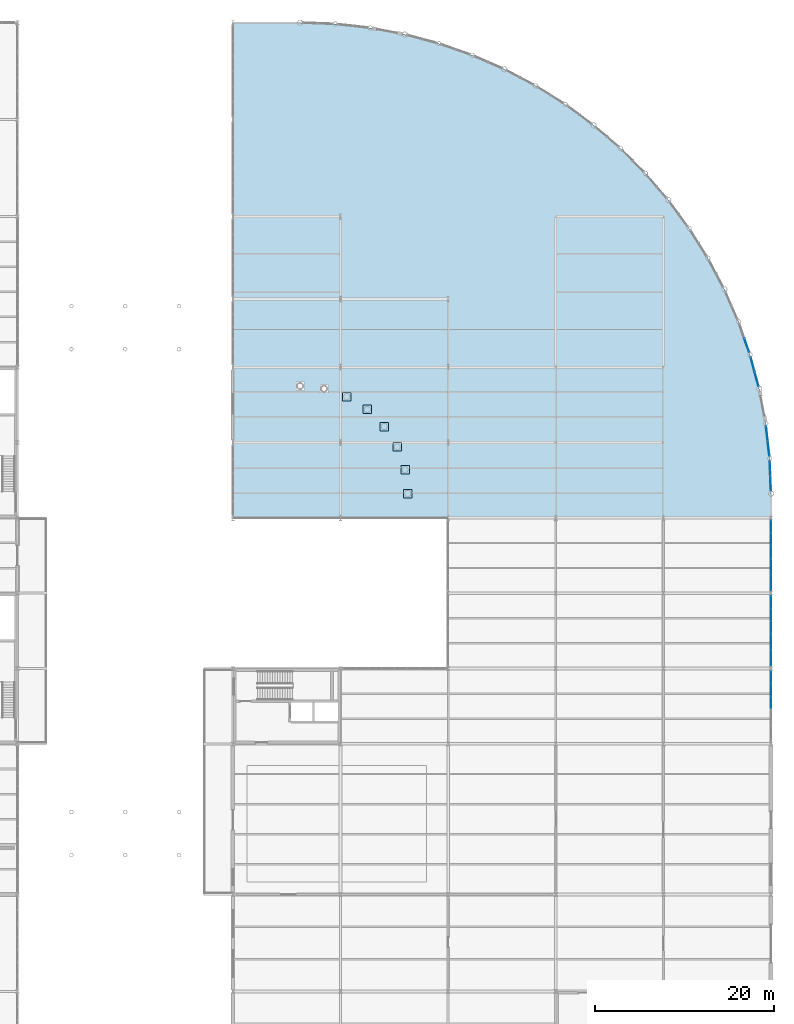
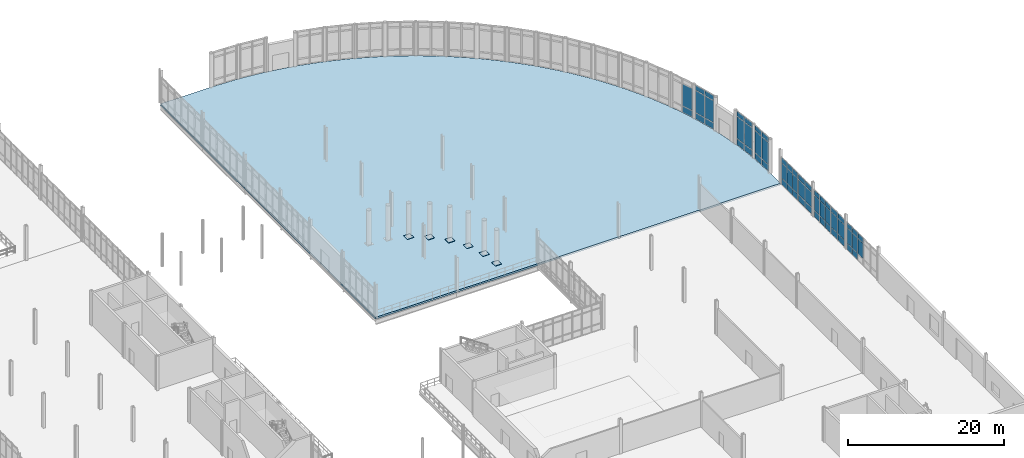
# One storey, part 91 of 111: 64 plates, 1 slab, 9 elements without a shape of their own.
"""IFC4 building model written with IfcOpenShell, lengths in metres."""

from ifc_helpers import new_model, si_unit, direction, frame, origin, origin_2d, place, context, subcontext, project, spatial, polyline, rectangle, outline, extrude, material, layer, layer_set, type_object, element, aggregate, save


model = new_model("IFC4")

# Units and contexts
model_context = context("Model", 3, precision=1e-05, world=origin(), true_north=direction((0.0, 1.0)))
body_context = subcontext(model_context, "Body", "Model", "MODEL_VIEW")
ifc_project = project(units=[si_unit("LENGTHUNIT", "METRE"), si_unit("AREAUNIT", "SQUARE_METRE"), si_unit("VOLUMEUNIT", "CUBIC_METRE"), si_unit("PLANEANGLEUNIT", "RADIAN"), si_unit("MASSUNIT", "GRAM", prefix="KILO"), si_unit("THERMODYNAMICTEMPERATUREUNIT", "KELVIN"), si_unit("POWERUNIT", "WATT")], contexts=[model_context])

# Site, building, storey
site_placement = place(None, origin())
site = spatial("IfcSite", under=ifc_project, at=site_placement, CompositionType="ELEMENT")
building_placement = place(site_placement, origin())
building = spatial("IfcBuilding", under=site, at=building_placement, Name="Tembeka Court Mobility Hub", CompositionType="ELEMENT")
storey_placement = place(building_placement, origin())
storey = spatial("IfcBuildingStorey", under=building, at=storey_placement, Name="L00", CompositionType="ELEMENT", Elevation=0.0)

# Curtain wall, plates
ifc_material_1 = material(Name="Anodised aluminium 6063-T6", Category="aluminium")
ifc_layer_1 = layer(ifc_material_1, 0.199951171875)
ifc_layer_set_1 = layer_set([ifc_layer_1], Name="Anodised aluminium 6063-T6")
curtain_wall_type_1 = type_object("IfcCurtainWallType", Name="CW-SYS24", PredefinedType="USERDEFINED", material=ifc_layer_set_1)
curtain_wall_1_placement = place(storey_placement, origin())
curtain_wall_1 = element("IfcCurtainWall", 1, at=curtain_wall_1_placement, inside=storey, type_object=curtain_wall_type_1, Name="Unitised curtain wall CW24 (CW-L00-045)", ObjectType="UNITISED GLAZING", PredefinedType="USERDEFINED")
ifc_material_2 = material(Name="Laminated solar-control low-E glass", Category="glass")
ifc_layer_2 = layer(ifc_material_2, 0.028076171875)
ifc_layer_set_2 = layer_set([ifc_layer_2], Name="Laminated solar-control low-E glass")
plate_type_1 = type_object("IfcPlateType", Name="PL-CW01", PredefinedType="CURTAIN_PANEL", material=ifc_layer_set_2)
plate_1_placement = place(storey_placement, frame((176.3583984375, 67.409423828125, 0.074951171875), z_axis=(0.0, 0.0, 1.0), x_axis=(-0.037405271186, 0.999300177968, 0.0)))
plate_1 = element("IfcPlate", 2, at=plate_1_placement, type_object=plate_type_1, Name="CW24 panel 1.1", PredefinedType="CURTAIN_PANEL", context=body_context, shape_type="SweptSolid", body=[
    extrude(rectangle(XDim=1.630615234375, YDim=0.028076171875, at=origin_2d()), origin(), (0.0, 0.0, 1.0), 0.9375),
])
plate_2_placement = place(storey_placement, frame((176.3583984375, 67.409423828125, 1.08740234375), z_axis=(0.0, 0.0, 1.0), x_axis=(-0.037405271186, 0.999300177968, 0.0)))
plate_2 = element("IfcPlate", 3, at=plate_2_placement, type_object=plate_type_1, Name="CW24 panel 1.2", PredefinedType="CURTAIN_PANEL", context=body_context, shape_type="SweptSolid", body=[
    extrude(rectangle(XDim=1.630615234375, YDim=0.028076171875, at=origin_2d()), origin(), (0.0, 0.0, 1.0), 3.425048828125),
])
plate_3_placement = place(storey_placement, frame((176.3583984375, 67.409423828125, 4.58740234375), z_axis=(0.0, 0.0, 1.0), x_axis=(-0.037405271186, 0.999300177968, 0.0)))
plate_3 = element("IfcPlate", 4, at=plate_3_placement, type_object=plate_type_1, Name="CW24 panel 1.3", PredefinedType="CURTAIN_PANEL", context=body_context, shape_type="SweptSolid", body=[
    extrude(rectangle(XDim=1.630615234375, YDim=0.028076171875, at=origin_2d()), origin(), (0.0, 0.0, 1.0), 0.737548828125),
])
plate_4_placement = place(storey_placement, frame((176.294677734375, 69.11376953125, 0.074951171875), z_axis=(0.0, 0.0, 1.0), x_axis=(-0.037405271186, 0.999300177968, 0.0)))
plate_4 = element("IfcPlate", 5, at=plate_4_placement, type_object=plate_type_1, Name="CW24 panel 2.1", PredefinedType="CURTAIN_PANEL", context=body_context, shape_type="SweptSolid", body=[
    extrude(rectangle(XDim=1.630615234375, YDim=0.028076171875, at=origin_2d()), origin(), (0.0, 0.0, 1.0), 0.9375),
])
plate_5_placement = place(storey_placement, frame((176.294677734375, 69.11376953125, 1.08740234375), z_axis=(0.0, 0.0, 1.0), x_axis=(-0.037405271186, 0.999300177968, 0.0)))
plate_5 = element("IfcPlate", 6, at=plate_5_placement, type_object=plate_type_1, Name="CW24 panel 2.2", PredefinedType="CURTAIN_PANEL", context=body_context, shape_type="SweptSolid", body=[
    extrude(rectangle(XDim=1.630615234375, YDim=0.028076171875, at=origin_2d()), origin(), (0.0, 0.0, 1.0), 3.425048828125),
])
plate_6_placement = place(storey_placement, frame((176.294677734375, 69.11376953125, 4.58740234375), z_axis=(0.0, 0.0, 1.0), x_axis=(-0.037405271186, 0.999300177968, 0.0)))
plate_6 = element("IfcPlate", 7, at=plate_6_placement, type_object=plate_type_1, Name="CW24 panel 2.3", PredefinedType="CURTAIN_PANEL", context=body_context, shape_type="SweptSolid", body=[
    extrude(rectangle(XDim=1.630615234375, YDim=0.028076171875, at=origin_2d()), origin(), (0.0, 0.0, 1.0), 0.737548828125),
])
aggregate(curtain_wall_1, [plate_1, plate_2, plate_3, plate_4, plate_5, plate_6])

curtain_wall_2_placement = place(storey_placement, origin())
curtain_wall_2 = element("IfcCurtainWall", 8, at=curtain_wall_2_placement, inside=storey, type_object=curtain_wall_type_1, Name="Unitised curtain wall CW24 (CW-L00-047)", ObjectType="UNITISED GLAZING", PredefinedType="USERDEFINED")
plate_7_placement = place(storey_placement, frame((176.12890625, 71.32666015625, 0.074951171875), z_axis=(0.0, 0.0, 1.0), x_axis=(-0.111986683735, 0.993709707443, 0.0)))
plate_7 = element("IfcPlate", 9, at=plate_7_placement, type_object=plate_type_1, Name="CW24 panel 1.1", PredefinedType="CURTAIN_PANEL", context=body_context, shape_type="SweptSolid", body=[
    extrude(rectangle(XDim=1.630615234375, YDim=0.028076171875, at=origin_2d()), origin(), (0.0, 0.0, 1.0), 0.9375),
])
plate_8_placement = place(storey_placement, frame((176.12890625, 71.32666015625, 1.08740234375), z_axis=(0.0, 0.0, 1.0), x_axis=(-0.111986683735, 0.993709707443, 0.0)))
plate_8 = element("IfcPlate", 10, at=plate_8_placement, type_object=plate_type_1, Name="CW24 panel 1.2", PredefinedType="CURTAIN_PANEL", context=body_context, shape_type="SweptSolid", body=[
    extrude(rectangle(XDim=1.630615234375, YDim=0.028076171875, at=origin_2d()), origin(), (0.0, 0.0, 1.0), 3.425048828125),
])
plate_9_placement = place(storey_placement, frame((176.12890625, 71.32666015625, 4.58740234375), z_axis=(0.0, 0.0, 1.0), x_axis=(-0.111986683735, 0.993709707443, 0.0)))
plate_9 = element("IfcPlate", 11, at=plate_9_placement, type_object=plate_type_1, Name="CW24 panel 1.3", PredefinedType="CURTAIN_PANEL", context=body_context, shape_type="SweptSolid", body=[
    extrude(rectangle(XDim=1.630615234375, YDim=0.028076171875, at=origin_2d()), origin(), (0.0, 0.0, 1.0), 0.737548828125),
])
plate_10_placement = place(storey_placement, frame((175.93798828125, 73.021484375, 0.074951171875), z_axis=(0.0, 0.0, 1.0), x_axis=(-0.111986683735, 0.993709707443, 0.0)))
plate_10 = element("IfcPlate", 12, at=plate_10_placement, type_object=plate_type_1, Name="CW24 panel 2.1", PredefinedType="CURTAIN_PANEL", context=body_context, shape_type="SweptSolid", body=[
    extrude(rectangle(XDim=1.630615234375, YDim=0.028076171875, at=origin_2d()), origin(), (0.0, 0.0, 1.0), 0.9375),
])
plate_11_placement = place(storey_placement, frame((175.93798828125, 73.021484375, 1.08740234375), z_axis=(0.0, 0.0, 1.0), x_axis=(-0.111986683735, 0.993709707443, 0.0)))
plate_11 = element("IfcPlate", 13, at=plate_11_placement, type_object=plate_type_1, Name="CW24 panel 2.2", PredefinedType="CURTAIN_PANEL", context=body_context, shape_type="SweptSolid", body=[
    extrude(rectangle(XDim=1.630615234375, YDim=0.028076171875, at=origin_2d()), origin(), (0.0, 0.0, 1.0), 3.425048828125),
])
plate_12_placement = place(storey_placement, frame((175.93798828125, 73.021484375, 4.58740234375), z_axis=(0.0, 0.0, 1.0), x_axis=(-0.111986683735, 0.993709707443, 0.0)))
plate_12 = element("IfcPlate", 14, at=plate_12_placement, type_object=plate_type_1, Name="CW24 panel 2.3", PredefinedType="CURTAIN_PANEL", context=body_context, shape_type="SweptSolid", body=[
    extrude(rectangle(XDim=1.630615234375, YDim=0.028076171875, at=origin_2d()), origin(), (0.0, 0.0, 1.0), 0.737548828125),
])
aggregate(curtain_wall_2, [plate_7, plate_8, plate_9, plate_10, plate_11, plate_12])

curtain_wall_3_placement = place(storey_placement, origin())
curtain_wall_3 = element("IfcCurtainWall", 15, at=curtain_wall_3_placement, inside=storey, type_object=curtain_wall_type_1, Name="Unitised curtain wall CW24 (CW-L00-049)", ObjectType="UNITISED GLAZING", PredefinedType="USERDEFINED")
plate_13_placement = place(storey_placement, frame((174.79638671875, 79.0546875, 0.074951171875), z_axis=(0.0, 0.0, 1.0), x_axis=(-0.258828327951, 0.96592333891, 0.0)))
plate_13 = element("IfcPlate", 16, at=plate_13_placement, type_object=plate_type_1, Name="CW24 panel 1.1", PredefinedType="CURTAIN_PANEL", context=body_context, shape_type="SweptSolid", body=[
    extrude(rectangle(XDim=1.630615234375, YDim=0.028076171875, at=origin_2d()), origin(), (0.0, 0.0, 1.0), 0.9375),
])
plate_14_placement = place(storey_placement, frame((174.79638671875, 79.0546875, 1.08740234375), z_axis=(0.0, 0.0, 1.0), x_axis=(-0.258828327951, 0.96592333891, 0.0)))
plate_14 = element("IfcPlate", 17, at=plate_14_placement, type_object=plate_type_1, Name="CW24 panel 1.2", PredefinedType="CURTAIN_PANEL", context=body_context, shape_type="SweptSolid", body=[
    extrude(rectangle(XDim=1.630615234375, YDim=0.028076171875, at=origin_2d()), origin(), (0.0, 0.0, 1.0), 3.425048828125),
])
plate_15_placement = place(storey_placement, frame((174.79638671875, 79.0546875, 4.58740234375), z_axis=(0.0, 0.0, 1.0), x_axis=(-0.258828327951, 0.96592333891, 0.0)))
plate_15 = element("IfcPlate", 18, at=plate_15_placement, type_object=plate_type_1, Name="CW24 panel 1.3", PredefinedType="CURTAIN_PANEL", context=body_context, shape_type="SweptSolid", body=[
    extrude(rectangle(XDim=1.630615234375, YDim=0.028076171875, at=origin_2d()), origin(), (0.0, 0.0, 1.0), 0.737548828125),
])
plate_16_placement = place(storey_placement, frame((174.35498046875, 80.7021484375, 0.074951171875), z_axis=(0.0, 0.0, 1.0), x_axis=(-0.258828327951, 0.96592333891, 0.0)))
plate_16 = element("IfcPlate", 19, at=plate_16_placement, type_object=plate_type_1, Name="CW24 panel 2.1", PredefinedType="CURTAIN_PANEL", context=body_context, shape_type="SweptSolid", body=[
    extrude(rectangle(XDim=1.630615234375, YDim=0.028076171875, at=origin_2d()), origin(), (0.0, 0.0, 1.0), 0.9375),
])
plate_17_placement = place(storey_placement, frame((174.35498046875, 80.7021484375, 1.08740234375), z_axis=(0.0, 0.0, 1.0), x_axis=(-0.258828327951, 0.96592333891, 0.0)))
plate_17 = element("IfcPlate", 20, at=plate_17_placement, type_object=plate_type_1, Name="CW24 panel 2.2", PredefinedType="CURTAIN_PANEL", context=body_context, shape_type="SweptSolid", body=[
    extrude(rectangle(XDim=1.630615234375, YDim=0.028076171875, at=origin_2d()), origin(), (0.0, 0.0, 1.0), 3.425048828125),
])
plate_18_placement = place(storey_placement, frame((174.35498046875, 80.7021484375, 4.58740234375), z_axis=(0.0, 0.0, 1.0), x_axis=(-0.258828327951, 0.96592333891, 0.0)))
plate_18 = element("IfcPlate", 21, at=plate_18_placement, type_object=plate_type_1, Name="CW24 panel 2.3", PredefinedType="CURTAIN_PANEL", context=body_context, shape_type="SweptSolid", body=[
    extrude(rectangle(XDim=1.630615234375, YDim=0.028076171875, at=origin_2d()), origin(), (0.0, 0.0, 1.0), 0.737548828125),
])
aggregate(curtain_wall_3, [plate_13, plate_14, plate_15, plate_16, plate_17, plate_18])

curtain_wall_4_placement = place(storey_placement, origin())
curtain_wall_4 = element("IfcCurtainWall", 22, at=curtain_wall_4_placement, inside=storey, type_object=curtain_wall_type_1, Name="Unitised curtain wall CW24 (CW-L00-051)", ObjectType="UNITISED GLAZING", PredefinedType="USERDEFINED")
plate_19_placement = place(storey_placement, frame((173.700927734375, 82.822509765625, 0.074951171875), z_axis=(0.0, 0.0, 1.0), x_axis=(-0.330263534352, 0.943888763508, 0.0)))
plate_19 = element("IfcPlate", 23, at=plate_19_placement, type_object=plate_type_1, Name="CW24 panel 1.1", PredefinedType="CURTAIN_PANEL", context=body_context, shape_type="SweptSolid", body=[
    extrude(rectangle(XDim=1.630615234375, YDim=0.028076171875, at=origin_2d()), origin(), (0.0, 0.0, 1.0), 0.9375),
])
plate_20_placement = place(storey_placement, frame((173.700927734375, 82.822509765625, 1.08740234375), z_axis=(0.0, 0.0, 1.0), x_axis=(-0.330263534352, 0.943888763508, 0.0)))
plate_20 = element("IfcPlate", 24, at=plate_20_placement, type_object=plate_type_1, Name="CW24 panel 1.2", PredefinedType="CURTAIN_PANEL", context=body_context, shape_type="SweptSolid", body=[
    extrude(rectangle(XDim=1.630615234375, YDim=0.028076171875, at=origin_2d()), origin(), (0.0, 0.0, 1.0), 3.425048828125),
])
aggregate(curtain_wall_4, [plate_19, plate_20])

ifc_layer_3 = layer(ifc_material_1, 0.159912109375)
ifc_layer_set_3 = layer_set([ifc_layer_3], Name="Anodised aluminium 6063-T6")
curtain_wall_type_2 = type_object("IfcCurtainWallType", Name="CW-SYS04", PredefinedType="USERDEFINED", material=ifc_layer_set_3)
curtain_wall_5_placement = place(storey_placement, origin())
curtain_wall_5 = element("IfcCurtainWall", 25, at=curtain_wall_5_placement, inside=storey, type_object=curtain_wall_type_2, Name="Unitised curtain wall CW04 (CW-L00-097)", ObjectType="UNITISED GLAZING", PredefinedType="USERDEFINED")
plate_21_placement = place(storey_placement, frame((176.39990234375, 47.9873046875, 0.06494140625), z_axis=(0.0, 0.0, 1.0), x_axis=(0.0, 1.0, 0.0)))
plate_21 = element("IfcPlate", 26, at=plate_21_placement, type_object=plate_type_1, Name="CW04 panel 1.1", PredefinedType="CURTAIN_PANEL", context=body_context, shape_type="SweptSolid", body=[
    extrude(rectangle(XDim=1.6845703125, YDim=0.028076171875, at=origin_2d()), origin(), (0.0, 0.0, 1.0), 0.952392578125),
])
plate_22_placement = place(storey_placement, frame((176.39990234375, 47.9873046875, 1.08251953125), z_axis=(0.0, 0.0, 1.0), x_axis=(0.0, 1.0, 0.0)))
plate_22 = element("IfcPlate", 27, at=plate_22_placement, type_object=plate_type_1, Name="CW04 panel 1.2", PredefinedType="CURTAIN_PANEL", context=body_context, shape_type="SweptSolid", body=[
    extrude(rectangle(XDim=1.6845703125, YDim=0.028076171875, at=origin_2d()), origin(), (0.0, 0.0, 1.0), 2.3701171875),
])
plate_23_placement = place(storey_placement, frame((176.39990234375, 47.9873046875, 3.517578125), z_axis=(0.0, 0.0, 1.0), x_axis=(0.0, 1.0, 0.0)))
plate_23 = element("IfcPlate", 28, at=plate_23_placement, type_object=plate_type_1, Name="CW04 panel 1.3", PredefinedType="CURTAIN_PANEL", context=body_context, shape_type="SweptSolid", body=[
    extrude(rectangle(XDim=1.6845703125, YDim=0.028076171875, at=origin_2d()), origin(), (0.0, 0.0, 1.0), 0.75244140625),
])
plate_24_placement = place(storey_placement, frame((176.39990234375, 49.73681640625, 0.06494140625), z_axis=(0.0, 0.0, 1.0), x_axis=(0.0, 1.0, 0.0)))
plate_24 = element("IfcPlate", 29, at=plate_24_placement, type_object=plate_type_1, Name="CW04 panel 2.1", PredefinedType="CURTAIN_PANEL", context=body_context, shape_type="SweptSolid", body=[
    extrude(rectangle(XDim=1.6845703125, YDim=0.028076171875, at=origin_2d()), origin(), (0.0, 0.0, 1.0), 0.952392578125),
])
plate_25_placement = place(storey_placement, frame((176.39990234375, 49.73681640625, 1.08251953125), z_axis=(0.0, 0.0, 1.0), x_axis=(0.0, 1.0, 0.0)))
plate_25 = element("IfcPlate", 30, at=plate_25_placement, type_object=plate_type_1, Name="CW04 panel 2.2", PredefinedType="CURTAIN_PANEL", context=body_context, shape_type="SweptSolid", body=[
    extrude(rectangle(XDim=1.6845703125, YDim=0.028076171875, at=origin_2d()), origin(), (0.0, 0.0, 1.0), 2.3701171875),
])
plate_26_placement = place(storey_placement, frame((176.39990234375, 49.73681640625, 3.517578125), z_axis=(0.0, 0.0, 1.0), x_axis=(0.0, 1.0, 0.0)))
plate_26 = element("IfcPlate", 31, at=plate_26_placement, type_object=plate_type_1, Name="CW04 panel 2.3", PredefinedType="CURTAIN_PANEL", context=body_context, shape_type="SweptSolid", body=[
    extrude(rectangle(XDim=1.6845703125, YDim=0.028076171875, at=origin_2d()), origin(), (0.0, 0.0, 1.0), 0.75244140625),
])
aggregate(curtain_wall_5, [plate_21, plate_22, plate_23, plate_24, plate_25, plate_26])

ifc_layer_4 = layer(ifc_material_1, 0.159912109375)
ifc_layer_set_4 = layer_set([ifc_layer_4], Name="Anodised aluminium 6063-T6")
curtain_wall_type_3 = type_object("IfcCurtainWallType", Name="CW-SYS05", PredefinedType="USERDEFINED", material=ifc_layer_set_4)
curtain_wall_6_placement = place(storey_placement, origin())
curtain_wall_6 = element("IfcCurtainWall", 32, at=curtain_wall_6_placement, inside=storey, type_object=curtain_wall_type_3, Name="Unitised curtain wall CW05 (CW-L00-098)", ObjectType="UNITISED GLAZING", PredefinedType="USERDEFINED")
plate_27_placement = place(storey_placement, frame((176.39990234375, 51.40625, 0.06494140625), z_axis=(0.0, 0.0, 1.0), x_axis=(0.0, 1.0, 0.0)))
plate_27 = element("IfcPlate", 33, at=plate_27_placement, type_object=plate_type_1, Name="CW05 panel 1.1", PredefinedType="CURTAIN_PANEL", context=body_context, shape_type="SweptSolid", body=[
    extrude(rectangle(XDim=1.314453125, YDim=0.028076171875, at=origin_2d()), origin(), (0.0, 0.0, 1.0), 0.952392578125),
])
plate_28_placement = place(storey_placement, frame((176.39990234375, 51.40625, 1.08251953125), z_axis=(0.0, 0.0, 1.0), x_axis=(0.0, 1.0, 0.0)))
plate_28 = element("IfcPlate", 34, at=plate_28_placement, type_object=plate_type_1, Name="CW05 panel 1.2", PredefinedType="CURTAIN_PANEL", context=body_context, shape_type="SweptSolid", body=[
    extrude(rectangle(XDim=1.314453125, YDim=0.028076171875, at=origin_2d()), origin(), (0.0, 0.0, 1.0), 2.3701171875),
])
plate_29_placement = place(storey_placement, frame((176.39990234375, 51.40625, 3.517578125), z_axis=(0.0, 0.0, 1.0), x_axis=(0.0, 1.0, 0.0)))
plate_29 = element("IfcPlate", 35, at=plate_29_placement, type_object=plate_type_1, Name="CW05 panel 1.3", PredefinedType="CURTAIN_PANEL", context=body_context, shape_type="SweptSolid", body=[
    extrude(rectangle(XDim=1.314453125, YDim=0.028076171875, at=origin_2d()), origin(), (0.0, 0.0, 1.0), 0.75244140625),
])
plate_30_placement = place(storey_placement, frame((176.39990234375, 52.802001953125, 0.06494140625), z_axis=(0.0, 0.0, 1.0), x_axis=(0.0, 1.0, 0.0)))
plate_30 = element("IfcPlate", 36, at=plate_30_placement, type_object=plate_type_1, Name="CW05 panel 2.1", PredefinedType="CURTAIN_PANEL", context=body_context, shape_type="SweptSolid", body=[
    extrude(rectangle(XDim=1.346923828125, YDim=0.028076171875, at=origin_2d()), origin(), (0.0, 0.0, 1.0), 0.952392578125),
])
plate_31_placement = place(storey_placement, frame((176.39990234375, 52.802001953125, 1.08251953125), z_axis=(0.0, 0.0, 1.0), x_axis=(0.0, 1.0, 0.0)))
plate_31 = element("IfcPlate", 37, at=plate_31_placement, type_object=plate_type_1, Name="CW05 panel 2.2", PredefinedType="CURTAIN_PANEL", context=body_context, shape_type="SweptSolid", body=[
    extrude(rectangle(XDim=1.346923828125, YDim=0.028076171875, at=origin_2d()), origin(), (0.0, 0.0, 1.0), 2.3701171875),
])
plate_32_placement = place(storey_placement, frame((176.39990234375, 52.802001953125, 3.517578125), z_axis=(0.0, 0.0, 1.0), x_axis=(0.0, 1.0, 0.0)))
plate_32 = element("IfcPlate", 38, at=plate_32_placement, type_object=plate_type_1, Name="CW05 panel 2.3", PredefinedType="CURTAIN_PANEL", context=body_context, shape_type="SweptSolid", body=[
    extrude(rectangle(XDim=1.346923828125, YDim=0.028076171875, at=origin_2d()), origin(), (0.0, 0.0, 1.0), 0.75244140625),
])
plate_33_placement = place(storey_placement, frame((176.39990234375, 54.19775390625, 0.06494140625), z_axis=(0.0, 0.0, 1.0), x_axis=(0.0, 1.0, 0.0)))
plate_33 = element("IfcPlate", 39, at=plate_33_placement, type_object=plate_type_1, Name="CW05 panel 3.1", PredefinedType="CURTAIN_PANEL", context=body_context, shape_type="SweptSolid", body=[
    extrude(rectangle(XDim=1.314453125, YDim=0.028076171875, at=origin_2d()), origin(), (0.0, 0.0, 1.0), 0.952392578125),
])
plate_34_placement = place(storey_placement, frame((176.39990234375, 54.19775390625, 1.08251953125), z_axis=(0.0, 0.0, 1.0), x_axis=(0.0, 1.0, 0.0)))
plate_34 = element("IfcPlate", 40, at=plate_34_placement, type_object=plate_type_1, Name="CW05 panel 3.2", PredefinedType="CURTAIN_PANEL", context=body_context, shape_type="SweptSolid", body=[
    extrude(rectangle(XDim=1.314453125, YDim=0.028076171875, at=origin_2d()), origin(), (0.0, 0.0, 1.0), 2.3701171875),
])
plate_35_placement = place(storey_placement, frame((176.39990234375, 54.19775390625, 3.517578125), z_axis=(0.0, 0.0, 1.0), x_axis=(0.0, 1.0, 0.0)))
plate_35 = element("IfcPlate", 41, at=plate_35_placement, type_object=plate_type_1, Name="CW05 panel 3.3", PredefinedType="CURTAIN_PANEL", context=body_context, shape_type="SweptSolid", body=[
    extrude(rectangle(XDim=1.314453125, YDim=0.028076171875, at=origin_2d()), origin(), (0.0, 0.0, 1.0), 0.75244140625),
])
aggregate(curtain_wall_6, [plate_27, plate_28, plate_29, plate_30, plate_31, plate_32, plate_33, plate_34, plate_35])

curtain_wall_7_placement = place(storey_placement, origin())
curtain_wall_7 = element("IfcCurtainWall", 42, at=curtain_wall_7_placement, inside=storey, type_object=curtain_wall_type_2, Name="Unitised curtain wall CW04 (CW-L00-099)", ObjectType="UNITISED GLAZING", PredefinedType="USERDEFINED")
plate_36_placement = place(storey_placement, frame((176.39990234375, 56.38720703125, 0.06494140625), z_axis=(0.0, 0.0, 1.0), x_axis=(0.0, 1.0, 0.0)))
plate_36 = element("IfcPlate", 43, at=plate_36_placement, type_object=plate_type_1, Name="CW04 panel 1.1", PredefinedType="CURTAIN_PANEL", context=body_context, shape_type="SweptSolid", body=[
    extrude(rectangle(XDim=1.6845703125, YDim=0.028076171875, at=origin_2d()), origin(), (0.0, 0.0, 1.0), 0.952392578125),
])
plate_37_placement = place(storey_placement, frame((176.39990234375, 56.38720703125, 1.08251953125), z_axis=(0.0, 0.0, 1.0), x_axis=(0.0, 1.0, 0.0)))
plate_37 = element("IfcPlate", 44, at=plate_37_placement, type_object=plate_type_1, Name="CW04 panel 1.2", PredefinedType="CURTAIN_PANEL", context=body_context, shape_type="SweptSolid", body=[
    extrude(rectangle(XDim=1.6845703125, YDim=0.028076171875, at=origin_2d()), origin(), (0.0, 0.0, 1.0), 2.3701171875),
])
plate_38_placement = place(storey_placement, frame((176.39990234375, 56.38720703125, 3.517578125), z_axis=(0.0, 0.0, 1.0), x_axis=(0.0, 1.0, 0.0)))
plate_38 = element("IfcPlate", 45, at=plate_38_placement, type_object=plate_type_1, Name="CW04 panel 1.3", PredefinedType="CURTAIN_PANEL", context=body_context, shape_type="SweptSolid", body=[
    extrude(rectangle(XDim=1.6845703125, YDim=0.028076171875, at=origin_2d()), origin(), (0.0, 0.0, 1.0), 0.75244140625),
])
plate_39_placement = place(storey_placement, frame((176.39990234375, 58.13671875, 0.06494140625), z_axis=(0.0, 0.0, 1.0), x_axis=(0.0, 1.0, 0.0)))
plate_39 = element("IfcPlate", 46, at=plate_39_placement, type_object=plate_type_1, Name="CW04 panel 2.1", PredefinedType="CURTAIN_PANEL", context=body_context, shape_type="SweptSolid", body=[
    extrude(rectangle(XDim=1.6845703125, YDim=0.028076171875, at=origin_2d()), origin(), (0.0, 0.0, 1.0), 0.952392578125),
])
plate_40_placement = place(storey_placement, frame((176.39990234375, 58.13671875, 1.08251953125), z_axis=(0.0, 0.0, 1.0), x_axis=(0.0, 1.0, 0.0)))
plate_40 = element("IfcPlate", 47, at=plate_40_placement, type_object=plate_type_1, Name="CW04 panel 2.2", PredefinedType="CURTAIN_PANEL", context=body_context, shape_type="SweptSolid", body=[
    extrude(rectangle(XDim=1.6845703125, YDim=0.028076171875, at=origin_2d()), origin(), (0.0, 0.0, 1.0), 2.3701171875),
])
plate_41_placement = place(storey_placement, frame((176.39990234375, 58.13671875, 3.517578125), z_axis=(0.0, 0.0, 1.0), x_axis=(0.0, 1.0, 0.0)))
plate_41 = element("IfcPlate", 48, at=plate_41_placement, type_object=plate_type_1, Name="CW04 panel 2.3", PredefinedType="CURTAIN_PANEL", context=body_context, shape_type="SweptSolid", body=[
    extrude(rectangle(XDim=1.6845703125, YDim=0.028076171875, at=origin_2d()), origin(), (0.0, 0.0, 1.0), 0.75244140625),
])
aggregate(curtain_wall_7, [plate_36, plate_37, plate_38, plate_39, plate_40, plate_41])

curtain_wall_8_placement = place(storey_placement, origin())
curtain_wall_8 = element("IfcCurtainWall", 49, at=curtain_wall_8_placement, inside=storey, type_object=curtain_wall_type_3, Name="Unitised curtain wall CW05 (CW-L00-096)", ObjectType="UNITISED GLAZING", PredefinedType="USERDEFINED")
ifc_material_3 = material(Name="Insulated aluminium spandrel panel", Category="aluminium")
ifc_layer_5 = layer(ifc_material_3, 0.052001953125)
ifc_layer_set_5 = layer_set([ifc_layer_5], Name="Insulated aluminium spandrel panel")
plate_type_2 = type_object("IfcPlateType", Name="PL-CW02", PredefinedType="CURTAIN_PANEL", material=ifc_layer_set_5)
plate_42_placement = place(storey_placement, frame((176.39990234375, 43.00634765625, 1.08251953125), z_axis=(0.0, 0.0, 1.0), x_axis=(0.0, 1.0, 0.0)))
plate_42 = element("IfcPlate", 50, at=plate_42_placement, type_object=plate_type_2, Name="CW05 panel 1.2", PredefinedType="CURTAIN_PANEL", context=body_context, shape_type="SweptSolid", body=[
    extrude(rectangle(XDim=1.314453125, YDim=0.052001953125, at=origin_2d()), origin(), (0.0, 0.0, 1.0), 2.3701171875),
])
plate_43_placement = place(storey_placement, frame((176.39990234375, 43.00634765625, 3.517578125), z_axis=(0.0, 0.0, 1.0), x_axis=(0.0, 1.0, 0.0)))
plate_43 = element("IfcPlate", 51, at=plate_43_placement, type_object=plate_type_2, Name="CW05 panel 1.3", PredefinedType="CURTAIN_PANEL", context=body_context, shape_type="SweptSolid", body=[
    extrude(rectangle(XDim=1.314453125, YDim=0.052001953125, at=origin_2d()), origin(), (0.0, 0.0, 1.0), 0.75244140625),
])
plate_44_placement = place(storey_placement, frame((176.39990234375, 44.402099609375, 0.06494140625), z_axis=(0.0, 0.0, 1.0), x_axis=(0.0, 1.0, 0.0)))
plate_44 = element("IfcPlate", 52, at=plate_44_placement, type_object=plate_type_2, Name="CW05 panel 2.1", PredefinedType="CURTAIN_PANEL", context=body_context, shape_type="SweptSolid", body=[
    extrude(rectangle(XDim=1.346923828125, YDim=0.052001953125, at=origin_2d()), origin(), (0.0, 0.0, 1.0), 0.952392578125),
])
plate_45_placement = place(storey_placement, frame((176.39990234375, 44.402099609375, 1.08251953125), z_axis=(0.0, 0.0, 1.0), x_axis=(0.0, 1.0, 0.0)))
plate_45 = element("IfcPlate", 53, at=plate_45_placement, type_object=plate_type_2, Name="CW05 panel 2.2", PredefinedType="CURTAIN_PANEL", context=body_context, shape_type="SweptSolid", body=[
    extrude(rectangle(XDim=1.346923828125, YDim=0.052001953125, at=origin_2d()), origin(), (0.0, 0.0, 1.0), 2.3701171875),
])
plate_46_placement = place(storey_placement, frame((176.39990234375, 44.402099609375, 3.517578125), z_axis=(0.0, 0.0, 1.0), x_axis=(0.0, 1.0, 0.0)))
plate_46 = element("IfcPlate", 54, at=plate_46_placement, type_object=plate_type_2, Name="CW05 panel 2.3", PredefinedType="CURTAIN_PANEL", context=body_context, shape_type="SweptSolid", body=[
    extrude(rectangle(XDim=1.346923828125, YDim=0.052001953125, at=origin_2d()), origin(), (0.0, 0.0, 1.0), 0.75244140625),
])
plate_47_placement = place(storey_placement, frame((176.39990234375, 45.7978515625, 0.06494140625), z_axis=(0.0, 0.0, 1.0), x_axis=(0.0, 1.0, 0.0)))
plate_47 = element("IfcPlate", 55, at=plate_47_placement, type_object=plate_type_2, Name="CW05 panel 3.1", PredefinedType="CURTAIN_PANEL", context=body_context, shape_type="SweptSolid", body=[
    extrude(rectangle(XDim=1.314453125, YDim=0.052001953125, at=origin_2d()), origin(), (0.0, 0.0, 1.0), 0.952392578125),
])
plate_48_placement = place(storey_placement, frame((176.39990234375, 45.7978515625, 1.08251953125), z_axis=(0.0, 0.0, 1.0), x_axis=(0.0, 1.0, 0.0)))
plate_48 = element("IfcPlate", 56, at=plate_48_placement, type_object=plate_type_2, Name="CW05 panel 3.2", PredefinedType="CURTAIN_PANEL", context=body_context, shape_type="SweptSolid", body=[
    extrude(rectangle(XDim=1.314453125, YDim=0.052001953125, at=origin_2d()), origin(), (0.0, 0.0, 1.0), 2.3701171875),
])
plate_49_placement = place(storey_placement, frame((176.39990234375, 45.7978515625, 3.517578125), z_axis=(0.0, 0.0, 1.0), x_axis=(0.0, 1.0, 0.0)))
plate_49 = element("IfcPlate", 57, at=plate_49_placement, type_object=plate_type_2, Name="CW05 panel 3.3", PredefinedType="CURTAIN_PANEL", context=body_context, shape_type="SweptSolid", body=[
    extrude(rectangle(XDim=1.314453125, YDim=0.052001953125, at=origin_2d()), origin(), (0.0, 0.0, 1.0), 0.75244140625),
])
aggregate(curtain_wall_8, [plate_42, plate_43, plate_44, plate_45, plate_46, plate_47, plate_48, plate_49])

curtain_wall_9_placement = place(storey_placement, origin())
curtain_wall_9 = element("IfcCurtainWall", 58, at=curtain_wall_9_placement, inside=storey, type_object=curtain_wall_type_3, Name="Unitised curtain wall CW05 (CW-L00-100)", ObjectType="UNITISED GLAZING", PredefinedType="USERDEFINED")
plate_50_placement = place(storey_placement, frame((176.39990234375, 59.80615234375, 0.06494140625), z_axis=(0.0, 0.0, 1.0), x_axis=(0.0, 1.0, 0.0)))
plate_50 = element("IfcPlate", 59, at=plate_50_placement, type_object=plate_type_2, Name="CW05 panel 1.1", PredefinedType="CURTAIN_PANEL", context=body_context, shape_type="SweptSolid", body=[
    extrude(rectangle(XDim=1.314453125, YDim=0.052001953125, at=origin_2d()), origin(), (0.0, 0.0, 1.0), 0.952392578125),
])
plate_51_placement = place(storey_placement, frame((176.39990234375, 59.80615234375, 1.08251953125), z_axis=(0.0, 0.0, 1.0), x_axis=(0.0, 1.0, 0.0)))
plate_51 = element("IfcPlate", 60, at=plate_51_placement, type_object=plate_type_2, Name="CW05 panel 1.2", PredefinedType="CURTAIN_PANEL", context=body_context, shape_type="SweptSolid", body=[
    extrude(rectangle(XDim=1.314453125, YDim=0.052001953125, at=origin_2d()), origin(), (0.0, 0.0, 1.0), 2.3701171875),
])
plate_52_placement = place(storey_placement, frame((176.39990234375, 59.80615234375, 3.517578125), z_axis=(0.0, 0.0, 1.0), x_axis=(0.0, 1.0, 0.0)))
plate_52 = element("IfcPlate", 61, at=plate_52_placement, type_object=plate_type_2, Name="CW05 panel 1.3", PredefinedType="CURTAIN_PANEL", context=body_context, shape_type="SweptSolid", body=[
    extrude(rectangle(XDim=1.314453125, YDim=0.052001953125, at=origin_2d()), origin(), (0.0, 0.0, 1.0), 0.75244140625),
])
plate_53_placement = place(storey_placement, frame((176.39990234375, 61.201904296875, 0.06494140625), z_axis=(0.0, 0.0, 1.0), x_axis=(0.0, 1.0, 0.0)))
plate_53 = element("IfcPlate", 62, at=plate_53_placement, type_object=plate_type_2, Name="CW05 panel 2.1", PredefinedType="CURTAIN_PANEL", context=body_context, shape_type="SweptSolid", body=[
    extrude(rectangle(XDim=1.346923828125, YDim=0.052001953125, at=origin_2d()), origin(), (0.0, 0.0, 1.0), 0.952392578125),
])
plate_54_placement = place(storey_placement, frame((176.39990234375, 61.201904296875, 1.08251953125), z_axis=(0.0, 0.0, 1.0), x_axis=(0.0, 1.0, 0.0)))
plate_54 = element("IfcPlate", 63, at=plate_54_placement, type_object=plate_type_2, Name="CW05 panel 2.2", PredefinedType="CURTAIN_PANEL", context=body_context, shape_type="SweptSolid", body=[
    extrude(rectangle(XDim=1.346923828125, YDim=0.052001953125, at=origin_2d()), origin(), (0.0, 0.0, 1.0), 2.3701171875),
])
plate_55_placement = place(storey_placement, frame((176.39990234375, 61.201904296875, 3.517578125), z_axis=(0.0, 0.0, 1.0), x_axis=(0.0, 1.0, 0.0)))
plate_55 = element("IfcPlate", 64, at=plate_55_placement, type_object=plate_type_2, Name="CW05 panel 2.3", PredefinedType="CURTAIN_PANEL", context=body_context, shape_type="SweptSolid", body=[
    extrude(rectangle(XDim=1.346923828125, YDim=0.052001953125, at=origin_2d()), origin(), (0.0, 0.0, 1.0), 0.75244140625),
])
plate_56_placement = place(storey_placement, frame((176.39990234375, 62.59765625, 0.06494140625), z_axis=(0.0, 0.0, 1.0), x_axis=(0.0, 1.0, 0.0)))
plate_56 = element("IfcPlate", 65, at=plate_56_placement, type_object=plate_type_2, Name="CW05 panel 3.1", PredefinedType="CURTAIN_PANEL", context=body_context, shape_type="SweptSolid", body=[
    extrude(rectangle(XDim=1.314453125, YDim=0.052001953125, at=origin_2d()), origin(), (0.0, 0.0, 1.0), 0.952392578125),
])
plate_57_placement = place(storey_placement, frame((176.39990234375, 62.59765625, 1.08251953125), z_axis=(0.0, 0.0, 1.0), x_axis=(0.0, 1.0, 0.0)))
plate_57 = element("IfcPlate", 66, at=plate_57_placement, type_object=plate_type_2, Name="CW05 panel 3.2", PredefinedType="CURTAIN_PANEL", context=body_context, shape_type="SweptSolid", body=[
    extrude(rectangle(XDim=1.314453125, YDim=0.052001953125, at=origin_2d()), origin(), (0.0, 0.0, 1.0), 2.3701171875),
])
plate_58_placement = place(storey_placement, frame((176.39990234375, 62.59765625, 3.517578125), z_axis=(0.0, 0.0, 1.0), x_axis=(0.0, 1.0, 0.0)))
plate_58 = element("IfcPlate", 67, at=plate_58_placement, type_object=plate_type_2, Name="CW05 panel 3.3", PredefinedType="CURTAIN_PANEL", context=body_context, shape_type="SweptSolid", body=[
    extrude(rectangle(XDim=1.314453125, YDim=0.052001953125, at=origin_2d()), origin(), (0.0, 0.0, 1.0), 0.75244140625),
])
aggregate(curtain_wall_9, [plate_50, plate_51, plate_52, plate_53, plate_54, plate_55, plate_56, plate_57, plate_58])

# Plates
ifc_material_4 = material(Name="Steel S355", Category="steel")
ifc_layer_6 = layer(ifc_material_4, 0.0400390625)
ifc_layer_set_6 = layer_set([ifc_layer_6], Name="Steel S355")
plate_type_3 = type_object("IfcPlateType", Name="PL-MBP01", PredefinedType="USERDEFINED", material=ifc_layer_set_6)
for number, where, z_axis, x_axis, name in (
    (68, (129.106689453125, 77.111572265625, 0.0), (0.0, 0.0, 1.0), (1.0, 0.0, 0.0), "Concourse roof mast M6 base plate MBP01"),
    (69, (131.3818359375, 75.681884765625, 0.0), (0.0, 0.0, 1.0), (1.0, 0.0, 0.0), "Concourse roof mast M5 base plate MBP01"),
    (70, (133.281982421875, 73.781982421875, 0.0), (0.0, 0.0, 1.0), (1.0, 0.0, 0.0), "Concourse roof mast M4 base plate MBP01"),
    (71, (134.711669921875, 71.506591796875, 0.0), (0.0, 0.0, 1.0), (1.0, 0.0, 0.0), "Concourse roof mast M3 base plate MBP01"),
    (72, (135.59912109375, 68.97021484375, 0.0), (0.0, 0.0, 1.0), (1.0, 0.0, 0.0), "Concourse roof mast M2 base plate MBP01"),
    (73, (135.89990234375, 66.300048828125, 0.0), (0.0, 0.0, 1.0), (1.0, 0.0, 0.0), "Concourse roof mast M1 base plate MBP01"),
):
    element("IfcPlate", number, at=place(storey_placement, frame(where, z_axis=z_axis, x_axis=x_axis)), inside=storey, type_object=plate_type_3, Name=name, ObjectType="BASE PLATE", PredefinedType="USERDEFINED", context=body_context, shape_type="SweptSolid", body=[
        extrude(rectangle(XDim=0.949951171875, YDim=0.949951171875, at=origin_2d()), origin(), (0.0, 0.0, 1.0), 0.0400390625),
    ])

# Slab
ifc_material_5 = material(Name="Concrete C40/50", Category="concrete")
ifc_layer_7 = layer(ifc_material_5, 0.280029296875)
ifc_layer_set_7 = layer_set([ifc_layer_7], Name="Concrete C40/50")
slab_type = type_object("IfcSlabType", Name="SL-FL01", PredefinedType="FLOOR", material=ifc_layer_set_7)
slab_placement = place(storey_placement, frame((0.0, 0.0, -0.280029296875)))
element("IfcSlab", 74, at=slab_placement, inside=storey, type_object=slab_type, Name="L00 curved bus and taxi concourse deck", PredefinedType="FLOOR", context=body_context, shape_type="SweptSolid", body=[
    extrude(outline(polyline([(116.39990234375, 63.60009765625), (176.39990234375, 63.60009765625), (176.39990234375, 66.300048828125), (176.253173828125, 70.223388671875), (175.813720703125, 74.124755859375), (175.083740234375, 77.982421875), (174.067626953125, 81.774658203125), (172.77099609375, 85.48046875), (171.200927734375, 89.078857421875), (169.3662109375, 92.550048828125), (167.277587890625, 95.874267578125), (164.9462890625, 99.033203125), (162.38525390625, 102.009033203125), (159.609130859375, 104.78515625), (156.63330078125, 107.34619140625), (153.474365234375, 109.677490234375), (150.14990234375, 111.766357421875), (146.678955078125, 113.600830078125), (143.080322265625, 115.1708984375), (139.37451171875, 116.467529296875), (135.582275390625, 117.483642578125), (131.724609375, 118.213623046875), (127.8232421875, 118.6533203125), (123.89990234375, 118.800048828125), (116.39990234375, 118.800048828125), (116.39990234375, 63.60009765625)])), origin(), (0.0, 0.0, 1.0), 0.280029296875),
])

save(model, "model.ifc")
